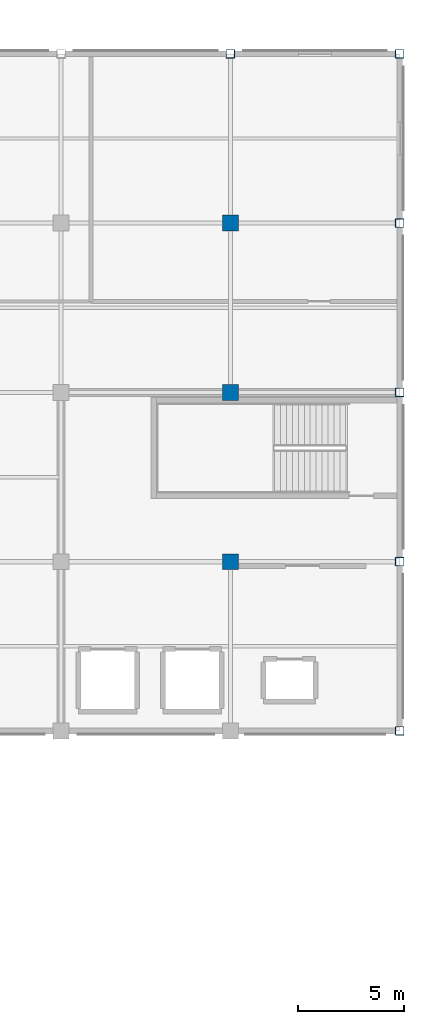
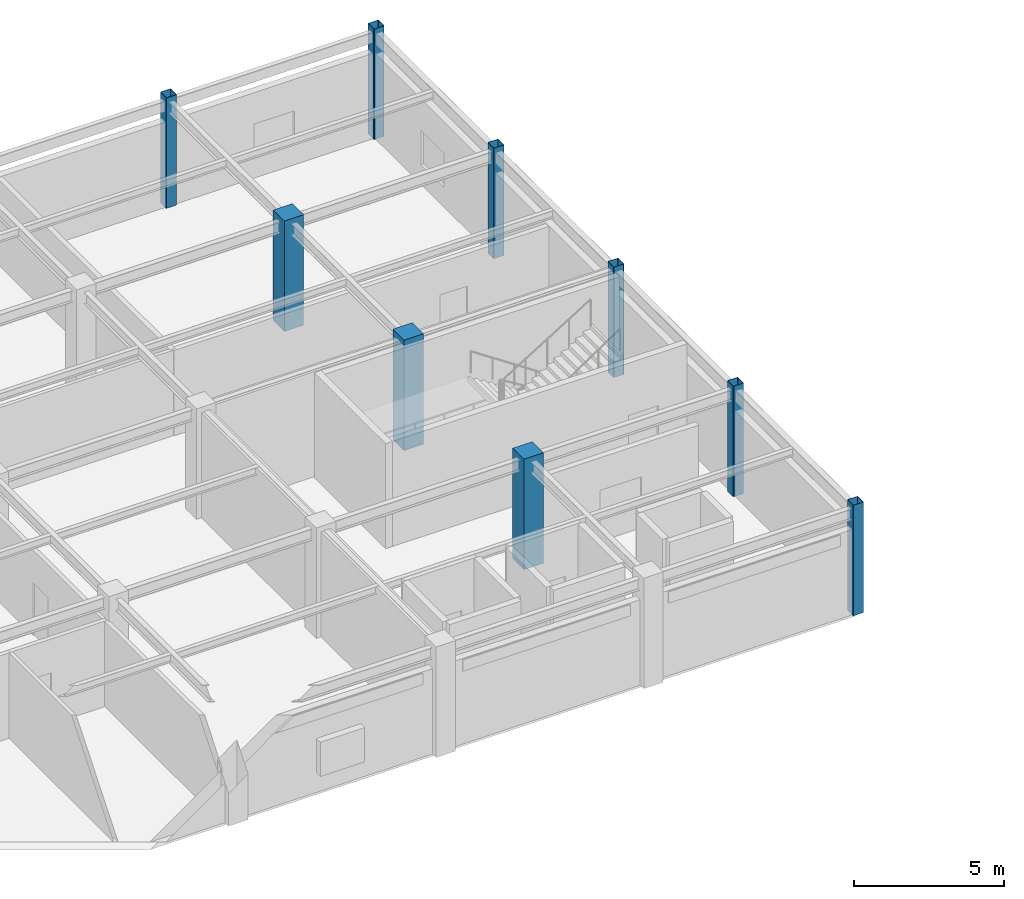
# One storey, part 7 of 42: 9 columns.
"""IFC4 building model written with IfcOpenShell, lengths in metres."""

from ifc_helpers import new_model, si_unit, direction, frame, origin, origin_2d, place, context, subcontext, project, spatial, rectangle, hollow_rectangle, extrude, material, material_profile, profile_set, type_object, element, save


model = new_model("IFC4")

# Units and contexts
model_context = context("Model", 3, precision=1e-05, world=origin(), true_north=direction((0.0, 1.0)))
body_context = subcontext(model_context, "Body", "Model", "MODEL_VIEW")
ifc_project = project(units=[si_unit("LENGTHUNIT", "METRE"), si_unit("AREAUNIT", "SQUARE_METRE"), si_unit("VOLUMEUNIT", "CUBIC_METRE"), si_unit("PLANEANGLEUNIT", "RADIAN"), si_unit("MASSUNIT", "GRAM", prefix="KILO")], contexts=[model_context])

# Site, building, storey
site_placement = place(None, origin())
site = spatial("IfcSite", under=ifc_project, at=site_placement, CompositionType="ELEMENT")
building_placement = place(site_placement, origin())
building = spatial("IfcBuilding", under=site, at=building_placement, Name="Solmirada Galleria", CompositionType="ELEMENT")
storey_placement = place(building_placement, frame((0.0, 0.0, 28.39990234375)))
storey = spatial("IfcBuildingStorey", under=building, at=storey_placement, Name="L06", CompositionType="ELEMENT", Elevation=28.39990234375)

# Columns
ifc_material_1 = material(Name="Steel S355 / ASTM A500 Grade C", Category="steel")
ifc_material_profile_1 = material_profile(ifc_material_1, hollow_rectangle(XDim=0.406005859375, YDim=0.406005859375, WallThickness=0.0146484375, InnerFilletRadius=0.0146484375, OuterFilletRadius=0.029296875, at=origin_2d()), Name="HSS16X16X5/8")
ifc_profile_set_1 = profile_set([ifc_material_profile_1], Name="Steel S355 / ASTM A500 Grade C")
column_type_1 = type_object("IfcColumnType", Name="COL-HSS16", PredefinedType="COLUMN", material=ifc_profile_set_1)
for number, where, z_axis, x_axis, name in (
    (1, (168.0, 120.0, 0.0), (0.0, 0.0, 1.0), (1.0, 0.0, 0.0), "Structural column L06-1508"),
    (2, (176.0, 88.0, 0.0), (0.0, 0.0, 1.0), (1.0, 0.0, 0.0), "Structural column L06-1545"),
    (3, (176.0, 96.0, 0.0), (0.0, 0.0, 1.0), (1.0, 0.0, 0.0), "Structural column L06-1554"),
    (4, (176.0, 104.0, 0.0), (0.0, 0.0, 1.0), (1.0, 0.0, 0.0), "Structural column L06-1563"),
    (5, (176.0, 112.0, 0.0), (0.0, 0.0, 1.0), (1.0, 0.0, 0.0), "Structural column L06-1572"),
    (6, (176.0, 120.0, 0.0), (0.0, 0.0, 1.0), (1.0, 0.0, 0.0), "Structural column L06-1581"),
):
    element("IfcColumn", number, at=place(storey_placement, frame(where, z_axis=z_axis, x_axis=x_axis)), inside=storey, type_object=column_type_1, Name=name, PredefinedType="COLUMN", context=body_context, shape_type="SweptSolid", body=[
        extrude(hollow_rectangle(XDim=0.406005859375, YDim=0.406005859375, WallThickness=0.0146484375, InnerFilletRadius=0.0146484375, OuterFilletRadius=0.029296875, at=origin_2d()), origin(), (0.0, 0.0, 1.0), 4.5),
    ])
ifc_material_2 = material(Name="Concrete C40/50", Category="concrete")
ifc_material_profile_2 = material_profile(ifc_material_2, rectangle(XDim=0.75, YDim=0.75, at=origin_2d()), Name="RC750X750")
ifc_profile_set_2 = profile_set([ifc_material_profile_2], Name="Concrete C40/50")
column_type_2 = type_object("IfcColumnType", Name="COL-RC750", PredefinedType="COLUMN", material=ifc_profile_set_2)
for number, where, z_axis, x_axis, name in (
    (7, (168.0, 96.0, 0.0), (0.0, 0.0, 1.0), (1.0, 0.0, 0.0), "Structural column L06-1481"),
    (8, (168.0, 104.0, 0.0), (0.0, 0.0, 1.0), (1.0, 0.0, 0.0), "Structural column L06-1490"),
    (9, (168.0, 112.0, 0.0), (0.0, 0.0, 1.0), (1.0, 0.0, 0.0), "Structural column L06-1499"),
):
    element("IfcColumn", number, at=place(storey_placement, frame(where, z_axis=z_axis, x_axis=x_axis)), inside=storey, type_object=column_type_2, Name=name, PredefinedType="COLUMN", context=body_context, shape_type="SweptSolid", body=[
        extrude(rectangle(XDim=0.75, YDim=0.75, at=origin_2d()), origin(), (0.0, 0.0, 1.0), 4.5),
    ])

save(model, "model.ifc")
